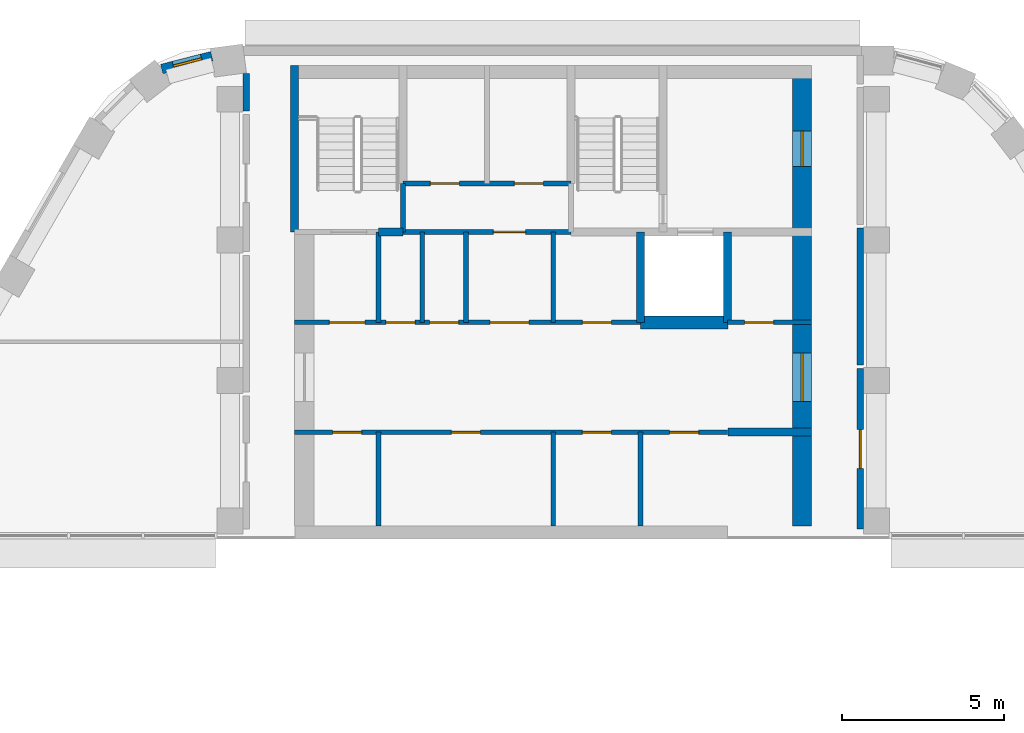
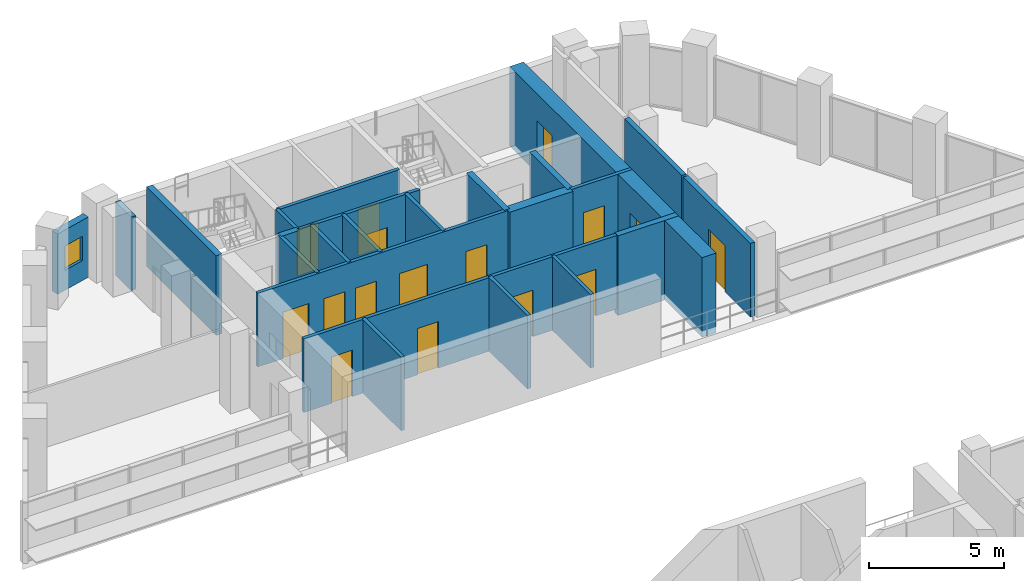
# One storey, part 10 of 13: 25 walls, 16 doors, 1 window, 17 openings.
"""IFC4 building model written with IfcOpenShell, lengths in metres."""

from ifc_helpers import new_model, si_unit, direction, frame, frame_2d, origin, place, context, subcontext, project, spatial, rectangle, extrude, material, layer, layer_set, type_object, element, fill, save


model = new_model("IFC4")

# Units and contexts
model_context = context("Model", 3, precision=1e-05, world=origin(), true_north=direction((0.0, 1.0)))
body_context = subcontext(model_context, "Body", "Model", "MODEL_VIEW")
ifc_project = project(units=[si_unit("LENGTHUNIT", "METRE"), si_unit("AREAUNIT", "SQUARE_METRE"), si_unit("VOLUMEUNIT", "CUBIC_METRE"), si_unit("PLANEANGLEUNIT", "RADIAN"), si_unit("MASSUNIT", "GRAM", prefix="KILO")], contexts=[model_context])

# Site, building, storey
site_placement = place(None, origin())
site = spatial("IfcSite", under=ifc_project, at=site_placement, CompositionType="ELEMENT")
building_placement = place(site_placement, origin())
building = spatial("IfcBuilding", under=site, at=building_placement, Name="Nakaniwa Court", CompositionType="ELEMENT")
storey_placement = place(building_placement, frame((0.0, 0.0, 286.800048828125)))
storey = spatial("IfcBuildingStorey", under=building, at=storey_placement, Name="C05", CompositionType="ELEMENT", Elevation=286.800048828125)

# Wall, opening, door
ifc_material_1 = material(Name="Acoustic double stud partition")
ifc_layer_1 = layer(ifc_material_1, 0.199951171875)
ifc_layer_set_1 = layer_set([ifc_layer_1], Name="Acoustic double stud partition")
wall_type_1 = type_object("IfcWallType", Name="Acoustic double stud partition 200", PredefinedType="PARTITIONING", material=ifc_layer_set_1)
wall_1_placement = place(storey_placement, frame((89.5, 92.6630859375, 0.0), z_axis=(0.0, 0.0, 1.0), x_axis=(0.0, -1.0, 0.0)))
wall_1 = element("IfcWall", 1, at=wall_1_placement, inside=storey, type_object=wall_type_1, Name="Partition PW-059", PredefinedType="PARTITIONING", context=body_context, shape_type="SweptSolid", body=[
    extrude(rectangle(XDim=4.963134765625, YDim=0.199951171875, at=frame_2d((2.4814453125, 0.0))), origin(), (0.0, 0.0, 1.0), 3.324951171875),
])
opening_1_placement = place(wall_1_placement, frame((1.883056640625, 0.0, 0.0)))
opening_1 = element("IfcOpeningElement", 2, at=opening_1_placement, cuts=wall_1, Name="Opening D-30-02", PredefinedType="OPENING", context=body_context, shape_type="SweptSolid", body=[
    extrude(rectangle(XDim=1.199951171875, YDim=2.10009765625, at=frame_2d((0.60009765625, 1.050048828125))), frame((0.0, 0.10986328125, 0.0), z_axis=(0.0, -1.0, 0.0), x_axis=(1.0, 0.0, 0.0)), (0.0, 0.0, 1.0), 0.219970703125),
])
ifc_material_2 = material(Name="Solid core timber door set, black veneer", Category="wood")
door_type_1 = type_object("IfcDoorType", Name="Internal door 1200", OperationType="NOTDEFINED", PredefinedType="DOOR", material=ifc_material_2)
door_1_placement = place(opening_1_placement, origin())
door_1 = element("IfcDoor", 3, at=door_1_placement, inside=storey, type_object=door_type_1, Name="Door D-30-02 C05-032", OperationType="SINGLE_SWING_LEFT", OverallHeight=2.10009765625, OverallWidth=1.199951171875, PredefinedType="DOOR", context=body_context, shape_type="SweptSolid", body=[
    extrude(rectangle(XDim=1.199951171875, YDim=2.10009765625, at=frame_2d((0.60009765625, 1.050048828125))), frame((0.0, 0.02490234375, 0.0), z_axis=(0.0, -1.0, 0.0), x_axis=(1.0, 0.0, 0.0)), (0.0, 0.0, 1.0), 0.050048828125),
])
fill(opening_1, door_1)

# Walls
wall_2_placement = place(storey_placement, frame((89.5, 92.777099609375, 0.0), z_axis=(0.0, 0.0, 1.0), x_axis=(0.0, 1.0, 0.0)))
element("IfcWall", 4, at=wall_2_placement, inside=storey, type_object=wall_type_1, Name="Partition PW-060", PredefinedType="PARTITIONING", context=body_context, shape_type="SweptSolid", body=[
    extrude(rectangle(XDim=4.23583984375, YDim=0.199951171875, at=frame_2d((2.117919921875, 0.0))), origin(), (0.0, 0.0, 1.0), 3.324951171875),
])
wall_3_placement = place(storey_placement, frame((70.5, 100.636962890625, 0.0), z_axis=(0.0, 0.0, 1.0), x_axis=(0.0, 1.0, 0.0)))
element("IfcWall", 5, at=wall_3_placement, inside=storey, type_object=wall_type_1, Name="Partition PW-070", PredefinedType="PARTITIONING", context=body_context, shape_type="SweptSolid", body=[
    extrude(rectangle(XDim=1.163818359375, YDim=0.199951171875, at=frame_2d((0.58203125, 0.0))), origin(), (0.0, 0.0, 1.0), 3.324951171875),
])

# Wall, opening, window
ifc_material_3 = material(Name="Charcoal ceramic cladding")
ifc_layer_2 = layer(ifc_material_3, 0.02, Name="Ceramic cladding")
ifc_material_4 = material(Name="Ventilated air cavity")
ifc_layer_3 = layer(ifc_material_4, 0.04, ventilated=True, Name="Ventilated cavity")
ifc_material_5 = material(Name="Mineral wool insulation")
ifc_layer_4 = layer(ifc_material_5, 0.1, Name="Insulation")
ifc_material_6 = material(Name="Cement bonded sheathing board")
ifc_layer_5 = layer(ifc_material_6, 0.012, Name="Sheathing")
ifc_material_7 = material(Name="Cold-formed galvanised stud frame with mineral wool infill")
ifc_layer_6 = layer(ifc_material_7, 0.1, Name="Stud frame")
ifc_material_8 = material(Name="Fire-rated gypsum plasterboard lining")
ifc_layer_7 = layer(ifc_material_8, 0.028, Name="Lining")
ifc_layer_set_2 = layer_set([ifc_layer_2, ifc_layer_3, ifc_layer_4, ifc_layer_5, ifc_layer_6, ifc_layer_7], Name="Charcoal ceramic faced external wall system")
wall_type_2 = type_object("IfcWallType", Name="Black ceramic faced external wall 300", PredefinedType="SOLIDWALL", material=ifc_layer_set_2)
wall_4_placement = place(storey_placement, frame((69.436767578125, 102.333251953125, 0.0), z_axis=(0.0, 0.0, 1.0), x_axis=(-0.968770279168, -0.247959968947, 0.0)))
wall_4 = element("IfcWall", 6, at=wall_4_placement, inside=storey, type_object=wall_type_2, Name="C05 external wall 24", PredefinedType="SOLIDWALL", context=body_context, shape_type="SweptSolid", body=[
    extrude(rectangle(XDim=1.597900390625, YDim=0.300048828125, at=frame_2d((0.798828125, 0.0))), origin(), (0.0, 0.0, 1.0), 2.724853515625),
])
opening_2_placement = place(wall_4_placement, frame((0.324951171875, 0.0, 0.89990234375)))
opening_2 = element("IfcOpeningElement", 7, at=opening_2_placement, cuts=wall_4, Name="Opening W9.09", PredefinedType="OPENING", context=body_context, shape_type="SweptSolid", body=[
    extrude(rectangle(XDim=0.89990234375, YDim=1.10009765625, at=frame_2d((0.449951171875, 0.550048828125))), frame((0.0, 0.159912109375, 0.0), z_axis=(0.0, -1.0, 0.0), x_axis=(1.0, 0.0, 0.0)), (0.0, 0.0, 1.0), 0.320068359375),
])
ifc_material_9 = material(Name="Black anodised aluminium frame with dark low-E laminated double glazing", Category="aluminium")
window_type = type_object("IfcWindowType", Name="Dark glass window 900x1100 sill 900", PartitioningType="SINGLE_PANEL", PredefinedType="WINDOW", material=ifc_material_9)
window_placement = place(opening_2_placement, origin())
window = element("IfcWindow", 8, at=window_placement, inside=storey, type_object=window_type, Name="C05 habitable room window 24-0", OverallHeight=1.10009765625, OverallWidth=0.89990234375, PartitioningType="SINGLE_PANEL", PredefinedType="WINDOW", context=body_context, shape_type="SweptSolid", body=[
    extrude(rectangle(XDim=0.89990234375, YDim=1.10009765625, at=frame_2d((0.449951171875, 0.550048828125))), frame((0.0, 0.030029296875, 0.0), z_axis=(0.0, -1.0, 0.0), x_axis=(1.0, 0.0, 0.0)), (0.0, 0.0, 1.0), 0.06005859375),
])
fill(opening_2, window)

# Walls
ifc_material_10 = material(Name="Blockwork partition", Category="masonry")
ifc_layer_8 = layer(ifc_material_10, 0.14990234375)
ifc_layer_set_3 = layer_set([ifc_layer_8], Name="Blockwork partition")
wall_type_3 = type_object("IfcWallType", Name="Blockwork partition 150", PredefinedType="PARTITIONING", material=ifc_layer_set_3)
wall_5_placement = place(storey_placement, frame((74.60009765625, 87.800048828125, 0.0), z_axis=(0.0, 0.0, 1.0), x_axis=(0.0, 1.0, 0.0)))
element("IfcWall", 9, at=wall_5_placement, inside=storey, type_object=wall_type_3, Name="Partition PW-001", PredefinedType="PARTITIONING", context=body_context, shape_type="SweptSolid", body=[
    extrude(rectangle(XDim=2.89990234375, YDim=0.14990234375, at=frame_2d((1.449951171875, 0.0))), origin(), (0.0, 0.0, 1.0), 3.324951171875),
])
wall_6_placement = place(storey_placement, frame((74.60009765625, 94.10009765625, 0.0), z_axis=(0.0, 0.0, 1.0), x_axis=(0.0, 1.0, 0.0)))
element("IfcWall", 10, at=wall_6_placement, inside=storey, type_object=wall_type_3, Name="Partition PW-002", PredefinedType="PARTITIONING", context=body_context, shape_type="SweptSolid", body=[
    extrude(rectangle(XDim=2.7998046875, YDim=0.14990234375, at=frame_2d((1.39990234375, 0.0))), origin(), (0.0, 0.0, 1.0), 3.324951171875),
])

# Wall, openings, doors
wall_7_placement = place(storey_placement, frame((85.39990234375, 90.699951171875, 0.0), z_axis=(0.0, 0.0, 1.0), x_axis=(-1.0, 0.0, 0.0)))
wall_7 = element("IfcWall", 11, at=wall_7_placement, inside=storey, type_object=wall_type_3, Name="Partition PW-003", PredefinedType="PARTITIONING", context=body_context, shape_type="SweptSolid", body=[
    extrude(rectangle(XDim=13.39990234375, YDim=0.14990234375, at=frame_2d((6.699951171875, 0.0))), origin(), (0.0, 0.0, 1.0), 3.324951171875),
])
opening_3_placement = place(wall_7_placement, frame((11.324951171875, 0.0, 0.0)))
opening_3 = element("IfcOpeningElement", 12, at=opening_3_placement, cuts=wall_7, Name="Opening D-05-01", PredefinedType="OPENING", context=body_context, shape_type="SweptSolid", body=[
    extrude(rectangle(XDim=0.89990234375, YDim=2.10009765625, at=frame_2d((0.449951171875, 1.050048828125))), frame((0.0, 0.0849609375, 0.0), z_axis=(0.0, -1.0, 0.0), x_axis=(1.0, 0.0, 0.0)), (0.0, 0.0, 1.0), 0.169921875),
])
opening_4_placement = place(wall_7_placement, frame((7.64990234375, 0.0, 0.0)))
opening_4 = element("IfcOpeningElement", 13, at=opening_4_placement, cuts=wall_7, Name="Opening D-05-02", PredefinedType="OPENING", context=body_context, shape_type="SweptSolid", body=[
    extrude(rectangle(XDim=0.89990234375, YDim=2.10009765625, at=frame_2d((0.449951171875, 1.050048828125))), frame((0.0, 0.0849609375, 0.0), z_axis=(0.0, -1.0, 0.0), x_axis=(1.0, 0.0, 0.0)), (0.0, 0.0, 1.0), 0.169921875),
])
opening_5_placement = place(wall_7_placement, frame((3.60009765625, 0.0, 0.0)))
opening_5 = element("IfcOpeningElement", 14, at=opening_5_placement, cuts=wall_7, Name="Opening D-05-03", PredefinedType="OPENING", context=body_context, shape_type="SweptSolid", body=[
    extrude(rectangle(XDim=0.89990234375, YDim=2.10009765625, at=frame_2d((0.449951171875, 1.050048828125))), frame((0.0, 0.0849609375, 0.0), z_axis=(0.0, -1.0, 0.0), x_axis=(1.0, 0.0, 0.0)), (0.0, 0.0, 1.0), 0.169921875),
])
opening_6_placement = place(wall_7_placement, frame((0.89990234375, 0.0, 0.0)))
opening_6 = element("IfcOpeningElement", 15, at=opening_6_placement, cuts=wall_7, Name="Opening D-05-04", PredefinedType="OPENING", context=body_context, shape_type="SweptSolid", body=[
    extrude(rectangle(XDim=0.89990234375, YDim=2.10009765625, at=frame_2d((0.449951171875, 1.050048828125))), frame((0.0, 0.0849609375, 0.0), z_axis=(0.0, -1.0, 0.0), x_axis=(1.0, 0.0, 0.0)), (0.0, 0.0, 1.0), 0.169921875),
])
ifc_material_11 = material(Name="Fire rated steel door set", Category="steel")
door_type_2 = type_object("IfcDoorType", Name="Service room door 900", OperationType="NOTDEFINED", PredefinedType="DOOR", material=ifc_material_11)
door_2_placement = place(opening_3_placement, origin())
door_2 = element("IfcDoor", 16, at=door_2_placement, inside=storey, type_object=door_type_2, Name="Door D-05-01 C05-001", OperationType="SINGLE_SWING_RIGHT", OverallHeight=2.10009765625, OverallWidth=0.89990234375, PredefinedType="DOOR", context=body_context, shape_type="SweptSolid", body=[
    extrude(rectangle(XDim=0.89990234375, YDim=2.10009765625, at=frame_2d((0.449951171875, 1.050048828125))), frame((0.0, 0.02490234375, 0.0), z_axis=(0.0, -1.0, 0.0), x_axis=(1.0, 0.0, 0.0)), (0.0, 0.0, 1.0), 0.050048828125),
])
fill(opening_3, door_2)
door_3_placement = place(opening_4_placement, origin())
door_3 = element("IfcDoor", 17, at=door_3_placement, inside=storey, type_object=door_type_2, Name="Door D-05-02 C05-002", OperationType="SINGLE_SWING_LEFT", OverallHeight=2.10009765625, OverallWidth=0.89990234375, PredefinedType="DOOR", context=body_context, shape_type="SweptSolid", body=[
    extrude(rectangle(XDim=0.89990234375, YDim=2.10009765625, at=frame_2d((0.449951171875, 1.050048828125))), frame((0.0, 0.02490234375, 0.0), z_axis=(0.0, -1.0, 0.0), x_axis=(1.0, 0.0, 0.0)), (0.0, 0.0, 1.0), 0.050048828125),
])
fill(opening_4, door_3)
door_4_placement = place(opening_5_placement, origin())
door_4 = element("IfcDoor", 18, at=door_4_placement, inside=storey, type_object=door_type_2, Name="Door D-05-03 C05-003", OperationType="SINGLE_SWING_RIGHT", OverallHeight=2.10009765625, OverallWidth=0.89990234375, PredefinedType="DOOR", context=body_context, shape_type="SweptSolid", body=[
    extrude(rectangle(XDim=0.89990234375, YDim=2.10009765625, at=frame_2d((0.449951171875, 1.050048828125))), frame((0.0, 0.02490234375, 0.0), z_axis=(0.0, -1.0, 0.0), x_axis=(1.0, 0.0, 0.0)), (0.0, 0.0, 1.0), 0.050048828125),
])
fill(opening_5, door_4)
door_5_placement = place(opening_6_placement, origin())
door_5 = element("IfcDoor", 19, at=door_5_placement, inside=storey, type_object=door_type_2, Name="Door D-05-04 C05-004", OperationType="SINGLE_SWING_LEFT", OverallHeight=2.10009765625, OverallWidth=0.89990234375, PredefinedType="DOOR", context=body_context, shape_type="SweptSolid", body=[
    extrude(rectangle(XDim=0.89990234375, YDim=2.10009765625, at=frame_2d((0.449951171875, 1.050048828125))), frame((0.0, 0.02490234375, 0.0), z_axis=(0.0, -1.0, 0.0), x_axis=(1.0, 0.0, 0.0)), (0.0, 0.0, 1.0), 0.050048828125),
])
fill(opening_6, door_5)

# Walls
wall_8_placement = place(storey_placement, frame((80.0, 87.800048828125, 0.0), z_axis=(0.0, 0.0, 1.0), x_axis=(0.0, 1.0, 0.0)))
element("IfcWall", 20, at=wall_8_placement, inside=storey, type_object=wall_type_3, Name="Partition PW-005", PredefinedType="PARTITIONING", context=body_context, shape_type="SweptSolid", body=[
    extrude(rectangle(XDim=2.89990234375, YDim=0.14990234375, at=frame_2d((1.449951171875, 0.0))), origin(), (0.0, 0.0, 1.0), 3.324951171875),
])
wall_9_placement = place(storey_placement, frame((80.0, 94.10009765625, 0.0), z_axis=(0.0, 0.0, 1.0), x_axis=(0.0, 1.0, 0.0)))
element("IfcWall", 21, at=wall_9_placement, inside=storey, type_object=wall_type_3, Name="Partition PW-006", PredefinedType="PARTITIONING", context=body_context, shape_type="SweptSolid", body=[
    extrude(rectangle(XDim=2.7998046875, YDim=0.14990234375, at=frame_2d((1.39990234375, 0.0))), origin(), (0.0, 0.0, 1.0), 3.324951171875),
])
wall_10_placement = place(storey_placement, frame((82.699951171875, 87.800048828125, 0.0), z_axis=(0.0, 0.0, 1.0), x_axis=(0.0, 1.0, 0.0)))
element("IfcWall", 22, at=wall_10_placement, inside=storey, type_object=wall_type_3, Name="Partition PW-007", PredefinedType="PARTITIONING", context=body_context, shape_type="SweptSolid", body=[
    extrude(rectangle(XDim=2.89990234375, YDim=0.14990234375, at=frame_2d((1.449951171875, 0.0))), origin(), (0.0, 0.0, 1.0), 3.324951171875),
])

# Wall, openings, doors
wall_11_placement = place(storey_placement, frame((72.0, 94.10009765625, 0.0), z_axis=(0.0, 0.0, 1.0), x_axis=(1.0, 0.0, 0.0)))
wall_11 = element("IfcWall", 23, at=wall_11_placement, inside=storey, type_object=wall_type_3, Name="Partition PW-008", PredefinedType="PARTITIONING", context=body_context, shape_type="SweptSolid", body=[
    extrude(rectangle(XDim=10.702880859375, YDim=0.14990234375, at=frame_2d((5.3515625, 0.0))), origin(), (0.0, 0.0, 1.0), 3.324951171875),
])
opening_7_placement = place(wall_11_placement, frame((1.074951171875, 0.0, 0.0)))
opening_7 = element("IfcOpeningElement", 24, at=opening_7_placement, cuts=wall_11, Name="Opening D-08-01", PredefinedType="OPENING", context=body_context, shape_type="SweptSolid", body=[
    extrude(rectangle(XDim=1.10009765625, YDim=2.10009765625, at=frame_2d((0.550048828125, 1.050048828125))), frame((0.0, 0.0849609375, 0.0), z_axis=(0.0, -1.0, 0.0), x_axis=(1.0, 0.0, 0.0)), (0.0, 0.0, 1.0), 0.169921875),
])
opening_8_placement = place(wall_11_placement, frame((2.824951171875, 0.0, 0.0)))
opening_8 = element("IfcOpeningElement", 25, at=opening_8_placement, cuts=wall_11, Name="Opening D-05-05", PredefinedType="OPENING", context=body_context, shape_type="SweptSolid", body=[
    extrude(rectangle(XDim=0.89990234375, YDim=2.10009765625, at=frame_2d((0.449951171875, 1.050048828125))), frame((0.0, 0.0849609375, 0.0), z_axis=(0.0, -1.0, 0.0), x_axis=(1.0, 0.0, 0.0)), (0.0, 0.0, 1.0), 0.169921875),
])
opening_9_placement = place(wall_11_placement, frame((4.175048828125, 0.0, 0.0)))
opening_9 = element("IfcOpeningElement", 26, at=opening_9_placement, cuts=wall_11, Name="Opening D-05-06", PredefinedType="OPENING", context=body_context, shape_type="SweptSolid", body=[
    extrude(rectangle(XDim=0.89990234375, YDim=2.10009765625, at=frame_2d((0.449951171875, 1.050048828125))), frame((0.0, 0.0849609375, 0.0), z_axis=(0.0, -1.0, 0.0), x_axis=(1.0, 0.0, 0.0)), (0.0, 0.0, 1.0), 0.169921875),
])
opening_10_placement = place(wall_11_placement, frame((6.050048828125, 0.0, 0.0)))
opening_10 = element("IfcOpeningElement", 27, at=opening_10_placement, cuts=wall_11, Name="Opening D-06-01", PredefinedType="OPENING", context=body_context, shape_type="SweptSolid", body=[
    extrude(rectangle(XDim=1.199951171875, YDim=2.10009765625, at=frame_2d((0.60009765625, 1.050048828125))), frame((0.0, 0.0849609375, 0.0), z_axis=(0.0, -1.0, 0.0), x_axis=(1.0, 0.0, 0.0)), (0.0, 0.0, 1.0), 0.169921875),
])
opening_11_placement = place(wall_11_placement, frame((8.89990234375, 0.0, 0.0)))
opening_11 = element("IfcOpeningElement", 28, at=opening_11_placement, cuts=wall_11, Name="Opening D-05-07", PredefinedType="OPENING", context=body_context, shape_type="SweptSolid", body=[
    extrude(rectangle(XDim=0.89990234375, YDim=2.10009765625, at=frame_2d((0.449951171875, 1.050048828125))), frame((0.0, 0.0849609375, 0.0), z_axis=(0.0, -1.0, 0.0), x_axis=(1.0, 0.0, 0.0)), (0.0, 0.0, 1.0), 0.169921875),
])
ifc_material_12 = material(Name="Fire rated steel double door set", Category="steel")
door_type_3 = type_object("IfcDoorType", Name="Service passage double door 1200", OperationType="NOTDEFINED", PredefinedType="DOOR", material=ifc_material_12)
door_6_placement = place(opening_10_placement, origin())
door_6 = element("IfcDoor", 29, at=door_6_placement, inside=storey, type_object=door_type_3, Name="Door D-06-01 C05-008", OperationType="DOUBLE_DOOR_SINGLE_SWING", OverallHeight=2.10009765625, OverallWidth=1.199951171875, PredefinedType="DOOR", context=body_context, shape_type="SweptSolid", body=[
    extrude(rectangle(XDim=1.199951171875, YDim=2.10009765625, at=frame_2d((0.60009765625, 1.050048828125))), frame((0.0, 0.02490234375, 0.0), z_axis=(0.0, -1.0, 0.0), x_axis=(1.0, 0.0, 0.0)), (0.0, 0.0, 1.0), 0.050048828125),
])
fill(opening_10, door_6)
door_7_placement = place(opening_8_placement, origin())
door_7 = element("IfcDoor", 30, at=door_7_placement, inside=storey, type_object=door_type_2, Name="Door D-05-05 C05-006", OperationType="SINGLE_SWING_LEFT", OverallHeight=2.10009765625, OverallWidth=0.89990234375, PredefinedType="DOOR", context=body_context, shape_type="SweptSolid", body=[
    extrude(rectangle(XDim=0.89990234375, YDim=2.10009765625, at=frame_2d((0.449951171875, 1.050048828125))), frame((0.0, 0.02490234375, 0.0), z_axis=(0.0, -1.0, 0.0), x_axis=(1.0, 0.0, 0.0)), (0.0, 0.0, 1.0), 0.050048828125),
])
fill(opening_8, door_7)
door_8_placement = place(opening_9_placement, origin())
door_8 = element("IfcDoor", 31, at=door_8_placement, inside=storey, type_object=door_type_2, Name="Door D-05-06 C05-007", OperationType="SINGLE_SWING_RIGHT", OverallHeight=2.10009765625, OverallWidth=0.89990234375, PredefinedType="DOOR", context=body_context, shape_type="SweptSolid", body=[
    extrude(rectangle(XDim=0.89990234375, YDim=2.10009765625, at=frame_2d((0.449951171875, 1.050048828125))), frame((0.0, 0.02490234375, 0.0), z_axis=(0.0, -1.0, 0.0), x_axis=(1.0, 0.0, 0.0)), (0.0, 0.0, 1.0), 0.050048828125),
])
fill(opening_9, door_8)
door_9_placement = place(opening_11_placement, origin())
door_9 = element("IfcDoor", 32, at=door_9_placement, inside=storey, type_object=door_type_2, Name="Door D-05-07 C05-009", OperationType="SINGLE_SWING_RIGHT", OverallHeight=2.10009765625, OverallWidth=0.89990234375, PredefinedType="DOOR", context=body_context, shape_type="SweptSolid", body=[
    extrude(rectangle(XDim=0.89990234375, YDim=2.10009765625, at=frame_2d((0.449951171875, 1.050048828125))), frame((0.0, 0.02490234375, 0.0), z_axis=(0.0, -1.0, 0.0), x_axis=(1.0, 0.0, 0.0)), (0.0, 0.0, 1.0), 0.050048828125),
])
fill(opening_11, door_9)
door_type_4 = type_object("IfcDoorType", Name="Stair lobby door 1100", OperationType="NOTDEFINED", PredefinedType="DOOR", material=ifc_material_11)
door_10_placement = place(opening_7_placement, origin())
door_10 = element("IfcDoor", 33, at=door_10_placement, inside=storey, type_object=door_type_4, Name="Door D-08-01 C05-005", OperationType="SINGLE_SWING_RIGHT", OverallHeight=2.10009765625, OverallWidth=1.10009765625, PredefinedType="DOOR", context=body_context, shape_type="SweptSolid", body=[
    extrude(rectangle(XDim=1.10009765625, YDim=2.10009765625, at=frame_2d((0.550048828125, 1.050048828125))), frame((0.0, 0.02490234375, 0.0), z_axis=(0.0, -1.0, 0.0), x_axis=(1.0, 0.0, 0.0)), (0.0, 0.0, 1.0), 0.050048828125),
])
fill(opening_7, door_10)

# Wall, opening, door
wall_12_placement = place(storey_placement, frame((85.39697265625, 94.10009765625, 0.0), z_axis=(0.0, 0.0, 1.0), x_axis=(1.0, 0.0, 0.0)))
wall_12 = element("IfcWall", 34, at=wall_12_placement, inside=storey, type_object=wall_type_3, Name="Partition PW-009", PredefinedType="PARTITIONING", context=body_context, shape_type="SweptSolid", body=[
    extrude(rectangle(XDim=2.60302734375, YDim=0.14990234375, at=frame_2d((1.301513671875, 0.0))), origin(), (0.0, 0.0, 1.0), 3.324951171875),
])
opening_12_placement = place(wall_12_placement, frame((0.528076171875, 0.0, 0.0)))
opening_12 = element("IfcOpeningElement", 35, at=opening_12_placement, cuts=wall_12, Name="Opening D-05-08", PredefinedType="OPENING", context=body_context, shape_type="SweptSolid", body=[
    extrude(rectangle(XDim=0.89990234375, YDim=2.10009765625, at=frame_2d((0.449951171875, 1.050048828125))), frame((0.0, 0.0849609375, 0.0), z_axis=(0.0, -1.0, 0.0), x_axis=(1.0, 0.0, 0.0)), (0.0, 0.0, 1.0), 0.169921875),
])
door_11_placement = place(opening_12_placement, origin())
door_11 = element("IfcDoor", 36, at=door_11_placement, inside=storey, type_object=door_type_2, Name="Door D-05-08 C05-010", OperationType="SINGLE_SWING_LEFT", OverallHeight=2.10009765625, OverallWidth=0.89990234375, PredefinedType="DOOR", context=body_context, shape_type="SweptSolid", body=[
    extrude(rectangle(XDim=0.89990234375, YDim=2.10009765625, at=frame_2d((0.449951171875, 1.050048828125))), frame((0.0, 0.02490234375, 0.0), z_axis=(0.0, -1.0, 0.0), x_axis=(1.0, 0.0, 0.0)), (0.0, 0.0, 1.0), 0.050048828125),
])
fill(opening_12, door_11)

# Wall
wall_13_placement = place(storey_placement, frame((75.949951171875, 94.10009765625, 0.0), z_axis=(0.0, 0.0, 1.0), x_axis=(0.0, 1.0, 0.0)))
element("IfcWall", 37, at=wall_13_placement, inside=storey, type_object=wall_type_3, Name="Partition PW-013", PredefinedType="PARTITIONING", context=body_context, shape_type="SweptSolid", body=[
    extrude(rectangle(XDim=2.7998046875, YDim=0.14990234375, at=frame_2d((1.39990234375, 0.0))), origin(), (0.0, 0.0, 1.0), 3.324951171875),
])

# Wall, opening, door
wall_14_placement = place(storey_placement, frame((75.346923828125, 96.89990234375, 0.0), z_axis=(0.0, 0.0, 1.0), x_axis=(1.0, 0.0, 0.0)))
wall_14 = element("IfcWall", 38, at=wall_14_placement, inside=storey, type_object=wall_type_3, Name="Partition PW-016", PredefinedType="PARTITIONING", context=body_context, shape_type="SweptSolid", body=[
    extrude(rectangle(XDim=5.2060546875, YDim=0.14990234375, at=frame_2d((2.60302734375, 0.0))), origin(), (0.0, 0.0, 1.0), 3.324951171875),
])
opening_13_placement = place(wall_14_placement, frame((2.802978515625, 0.0, 0.0)))
opening_13 = element("IfcOpeningElement", 39, at=opening_13_placement, cuts=wall_14, Name="Opening D-23-01", PredefinedType="OPENING", context=body_context, shape_type="SweptSolid", body=[
    extrude(rectangle(XDim=1.0, YDim=2.10009765625, at=frame_2d((0.5, 1.050048828125))), frame((0.0, 0.0849609375, 0.0), z_axis=(0.0, -1.0, 0.0), x_axis=(1.0, 0.0, 0.0)), (0.0, 0.0, 1.0), 0.169921875),
])
door_type_5 = type_object("IfcDoorType", Name="Service room door 1000", OperationType="NOTDEFINED", PredefinedType="DOOR", material=ifc_material_11)
door_12_placement = place(opening_13_placement, origin())
door_12 = element("IfcDoor", 40, at=door_12_placement, inside=storey, type_object=door_type_5, Name="Door D-23-01 C05-011", OperationType="SINGLE_SWING_RIGHT", OverallHeight=2.10009765625, OverallWidth=1.0, PredefinedType="DOOR", context=body_context, shape_type="SweptSolid", body=[
    extrude(rectangle(XDim=1.0, YDim=2.10009765625, at=frame_2d((0.5, 1.050048828125))), frame((0.0, 0.02490234375, 0.0), z_axis=(0.0, -1.0, 0.0), x_axis=(1.0, 0.0, 0.0)), (0.0, 0.0, 1.0), 0.050048828125),
])
fill(opening_13, door_12)

# Wall
wall_15_placement = place(storey_placement, frame((77.300048828125, 94.10009765625, 0.0), z_axis=(0.0, 0.0, 1.0), x_axis=(0.0, 1.0, 0.0)))
element("IfcWall", 41, at=wall_15_placement, inside=storey, type_object=wall_type_3, Name="Partition PW-017", PredefinedType="PARTITIONING", context=body_context, shape_type="SweptSolid", body=[
    extrude(rectangle(XDim=2.7998046875, YDim=0.14990234375, at=frame_2d((1.39990234375, 0.0))), origin(), (0.0, 0.0, 1.0), 3.324951171875),
])

# Wall, openings, doors
wall_16_placement = place(storey_placement, frame((75.35009765625, 98.39990234375, 0.0), z_axis=(0.0, 0.0, 1.0), x_axis=(1.0, 0.0, 0.0)))
wall_16 = element("IfcWall", 42, at=wall_16_placement, inside=storey, type_object=wall_type_3, Name="Partition PW-026", PredefinedType="PARTITIONING", context=body_context, shape_type="SweptSolid", body=[
    extrude(rectangle(XDim=5.199951171875, YDim=0.14990234375, at=frame_2d((2.60009765625, 0.0))), origin(), (0.0, 0.0, 1.0), 3.324951171875),
])
opening_14_placement = place(wall_16_placement, frame((0.85009765625, 0.0, 0.0)))
opening_14 = element("IfcOpeningElement", 43, at=opening_14_placement, cuts=wall_16, Name="Opening D-05-09", PredefinedType="OPENING", context=body_context, shape_type="SweptSolid", body=[
    extrude(rectangle(XDim=0.89990234375, YDim=2.10009765625, at=frame_2d((0.449951171875, 1.050048828125))), frame((0.0, 0.0849609375, 0.0), z_axis=(0.0, -1.0, 0.0), x_axis=(1.0, 0.0, 0.0)), (0.0, 0.0, 1.0), 0.169921875),
])
opening_15_placement = place(wall_16_placement, frame((3.449951171875, 0.0, 0.0)))
opening_15 = element("IfcOpeningElement", 44, at=opening_15_placement, cuts=wall_16, Name="Opening D-05-10", PredefinedType="OPENING", context=body_context, shape_type="SweptSolid", body=[
    extrude(rectangle(XDim=0.89990234375, YDim=2.10009765625, at=frame_2d((0.449951171875, 1.050048828125))), frame((0.0, 0.0849609375, 0.0), z_axis=(0.0, -1.0, 0.0), x_axis=(1.0, 0.0, 0.0)), (0.0, 0.0, 1.0), 0.169921875),
])
door_13_placement = place(opening_14_placement, origin())
door_13 = element("IfcDoor", 45, at=door_13_placement, inside=storey, type_object=door_type_2, Name="Door D-05-09 C05-012", OperationType="SINGLE_SWING_LEFT", OverallHeight=2.10009765625, OverallWidth=0.89990234375, PredefinedType="DOOR", context=body_context, shape_type="SweptSolid", body=[
    extrude(rectangle(XDim=0.89990234375, YDim=2.10009765625, at=frame_2d((0.449951171875, 1.050048828125))), frame((0.0, 0.02490234375, 0.0), z_axis=(0.0, -1.0, 0.0), x_axis=(1.0, 0.0, 0.0)), (0.0, 0.0, 1.0), 0.050048828125),
])
fill(opening_14, door_13)
door_14_placement = place(opening_15_placement, origin())
door_14 = element("IfcDoor", 46, at=door_14_placement, inside=storey, type_object=door_type_2, Name="Door D-05-10 C05-013", OperationType="SINGLE_SWING_RIGHT", OverallHeight=2.10009765625, OverallWidth=0.89990234375, PredefinedType="DOOR", context=body_context, shape_type="SweptSolid", body=[
    extrude(rectangle(XDim=0.89990234375, YDim=2.10009765625, at=frame_2d((0.449951171875, 1.050048828125))), frame((0.0, 0.02490234375, 0.0), z_axis=(0.0, -1.0, 0.0), x_axis=(1.0, 0.0, 0.0)), (0.0, 0.0, 1.0), 0.050048828125),
])
fill(opening_15, door_14)

ifc_material_13 = material(Name="Concrete C80/100", Category="concrete")
ifc_layer_9 = layer(ifc_material_13, 0.60009765625)
ifc_layer_set_4 = layer_set([ifc_layer_9], Name="Concrete C80/100")
wall_type_4 = type_object("IfcWallType", Name="Concrete core side wall 600 C80", PredefinedType="SHEAR", material=ifc_layer_set_4)
wall_17_placement = place(storey_placement, frame((87.699951171875, 102.050048828125, -0.275146484375), z_axis=(0.0, 0.0, 1.0), x_axis=(0.0, -1.0, 0.0)))
wall_17 = element("IfcWall", 47, at=wall_17_placement, inside=storey, type_object=wall_type_4, Name="Core wall SW-11", PredefinedType="SHEAR", context=body_context, shape_type="SweptSolid", body=[
    extrude(rectangle(XDim=11.35009765625, YDim=0.60009765625, at=frame_2d((5.675048828125, 0.0))), origin(), (0.0, 0.0, 1.0), 3.60009765625),
])
opening_16_placement = place(wall_17_placement, frame((8.89990234375, 0.0, 0.27490234375)))
opening_16 = element("IfcOpeningElement", 48, at=opening_16_placement, cuts=wall_17, Name="Opening D-07-01", PredefinedType="OPENING", context=body_context, shape_type="SweptSolid", body=[
    extrude(rectangle(XDim=1.5, YDim=2.10009765625, at=frame_2d((0.75, 1.050048828125))), frame((0.0, 0.31005859375, 0.0), z_axis=(0.0, -1.0, 0.0), x_axis=(1.0, 0.0, 0.0)), (0.0, 0.0, 1.0), 0.6201171875),
])
opening_17_placement = place(wall_17_placement, frame((2.02490234375, 0.0, 0.27490234375)))
opening_17 = element("IfcOpeningElement", 49, at=opening_17_placement, cuts=wall_17, Name="Opening D-10-01", PredefinedType="OPENING", context=body_context, shape_type="SweptSolid", body=[
    extrude(rectangle(XDim=1.10009765625, YDim=2.10009765625, at=frame_2d((0.550048828125, 1.050048828125))), frame((0.0, 0.31005859375, 0.0), z_axis=(0.0, -1.0, 0.0), x_axis=(1.0, 0.0, 0.0)), (0.0, 0.0, 1.0), 0.6201171875),
])
door_type_6 = type_object("IfcDoorType", Name="Firefighting lobby door 1100", OperationType="NOTDEFINED", PredefinedType="DOOR", material=ifc_material_11)
door_15_placement = place(opening_17_placement, origin())
door_15 = element("IfcDoor", 50, at=door_15_placement, inside=storey, type_object=door_type_6, Name="Door D-10-01 C05-039", OperationType="SINGLE_SWING_RIGHT", OverallHeight=2.10009765625, OverallWidth=1.10009765625, PredefinedType="DOOR", context=body_context, shape_type="SweptSolid", body=[
    extrude(rectangle(XDim=1.10009765625, YDim=2.10009765625, at=frame_2d((0.550048828125, 1.050048828125))), frame((0.0, 0.02490234375, 0.0), z_axis=(0.0, -1.0, 0.0), x_axis=(1.0, 0.0, 0.0)), (0.0, 0.0, 1.0), 0.050048828125),
])
fill(opening_17, door_15)
ifc_material_14 = material(Name="Glazed fire rated steel double door set", Category="steel")
door_type_7 = type_object("IfcDoorType", Name="Lobby double door 1500", OperationType="NOTDEFINED", PredefinedType="DOOR", material=ifc_material_14)
door_16_placement = place(opening_16_placement, origin())
door_16 = element("IfcDoor", 51, at=door_16_placement, inside=storey, type_object=door_type_7, Name="Door D-07-01 C05-037", OperationType="DOUBLE_DOOR_SINGLE_SWING", OverallHeight=2.10009765625, OverallWidth=1.5, PredefinedType="DOOR", context=body_context, shape_type="SweptSolid", body=[
    extrude(rectangle(XDim=1.5, YDim=2.10009765625, at=frame_2d((0.75, 1.050048828125))), frame((0.0, 0.02490234375, 0.0), z_axis=(0.0, -1.0, 0.0), x_axis=(1.0, 0.0, 0.0)), (0.0, 0.0, 1.0), 0.050048828125),
])
fill(opening_16, door_16)

# Walls
wall_18_placement = place(storey_placement, frame((87.699951171875, 87.800048828125, -0.275146484375), z_axis=(0.0, 0.0, 1.0), x_axis=(0.0, 1.0, 0.0)))
element("IfcWall", 52, at=wall_18_placement, inside=storey, type_object=wall_type_4, Name="Core wall SW-74", PredefinedType="SHEAR", context=body_context, shape_type="SweptSolid", body=[
    extrude(rectangle(XDim=2.89599609375, YDim=0.60009765625, at=frame_2d((1.447998046875, 0.0))), origin(), (0.0, 0.0, 1.0), 3.60009765625),
])
ifc_layer_10 = layer(ifc_material_13, 0.39990234375)
ifc_layer_set_5 = layer_set([ifc_layer_10], Name="Concrete C80/100")
wall_type_5 = type_object("IfcWallType", Name="Concrete core spine wall 400 C80", PredefinedType="SHEAR", material=ifc_layer_set_5)
wall_19_placement = place(storey_placement, frame((82.697021484375, 94.10009765625, -0.275146484375), z_axis=(0.0, 0.0, 1.0), x_axis=(1.0, 0.0, 0.0)))
element("IfcWall", 53, at=wall_19_placement, inside=storey, type_object=wall_type_5, Name="Core wall SW-10", PredefinedType="SHEAR", context=body_context, shape_type="SweptSolid", body=[
    extrude(rectangle(XDim=2.7060546875, YDim=0.39990234375, at=frame_2d((1.35302734375, 0.0))), origin(), (0.0, 0.0, 1.0), 3.60009765625),
])
ifc_layer_11 = layer(ifc_material_13, 0.14990234375)
ifc_layer_set_6 = layer_set([ifc_layer_11], Name="Concrete C80/100")
wall_type_6 = type_object("IfcWallType", Name="Concrete core wall 150 C80", PredefinedType="SHEAR", material=ifc_layer_set_6)
wall_20_placement = place(storey_placement, frame((75.35009765625, 96.89990234375, -0.275146484375), z_axis=(0.0, 0.0, 1.0), x_axis=(0.0, 1.0, 0.0)))
element("IfcWall", 54, at=wall_20_placement, inside=storey, type_object=wall_type_6, Name="Core wall SW-20", PredefinedType="SHEAR", context=body_context, shape_type="SweptSolid", body=[
    extrude(rectangle(XDim=1.503173828125, YDim=0.14990234375, at=frame_2d((0.75146484375, 0.0))), origin(), (0.0, 0.0, 1.0), 3.60009765625),
])
ifc_layer_12 = layer(ifc_material_13, 0.25)
ifc_layer_set_7 = layer_set([ifc_layer_12], Name="Concrete C80/100")
wall_type_7 = type_object("IfcWallType", Name="Concrete core wall 250 C80", PredefinedType="SHEAR", material=ifc_layer_set_7)
wall_21_placement = place(storey_placement, frame((72.0, 96.89990234375, -0.275146484375), z_axis=(0.0, 0.0, 1.0), x_axis=(0.0, 1.0, 0.0)))
element("IfcWall", 55, at=wall_21_placement, inside=storey, type_object=wall_type_7, Name="Core wall SW-22", PredefinedType="SHEAR", context=body_context, shape_type="SweptSolid", body=[
    extrude(rectangle(XDim=5.150146484375, YDim=0.25, at=frame_2d((2.5751953125, 0.0))), origin(), (0.0, 0.0, 1.0), 3.60009765625),
])
ifc_layer_13 = layer(ifc_material_13, 0.25)
ifc_layer_set_8 = layer_set([ifc_layer_13], Name="Concrete C80/100")
wall_type_8 = type_object("IfcWallType", Name="Concrete shaft wall 250 C80", PredefinedType="SHEAR", material=ifc_layer_set_8)
wall_22_placement = place(storey_placement, frame((74.60009765625, 96.89990234375, -0.275146484375), z_axis=(0.0, 0.0, 1.0), x_axis=(1.0, 0.0, 0.0)))
element("IfcWall", 56, at=wall_22_placement, inside=storey, type_object=wall_type_8, Name="Core wall SW-14", PredefinedType="SHEAR", context=body_context, shape_type="SweptSolid", body=[
    extrude(rectangle(XDim=0.7529296875, YDim=0.25, at=frame_2d((0.37646484375, 0.0))), origin(), (0.0, 0.0, 1.0), 3.60009765625),
])
for number, where, z_axis, x_axis, name in (
    (57, (82.699951171875, 94.10009765625, -0.275146484375), (0.0, 0.0, 1.0), (0.0, 1.0, 0.0), "Core wall SW-18"),
    (58, (85.39990234375, 94.10009765625, -0.275146484375), (0.0, 0.0, 1.0), (0.0, 1.0, 0.0), "Core wall SW-19"),
):
    element("IfcWall", number, at=place(storey_placement, frame(where, z_axis=z_axis, x_axis=x_axis)), inside=storey, type_object=wall_type_8, Name=name, PredefinedType="SHEAR", context=body_context, shape_type="SweptSolid", body=[
        extrude(rectangle(XDim=2.7998046875, YDim=0.25, at=frame_2d((1.39990234375, 0.0))), origin(), (0.0, 0.0, 1.0), 3.60009765625),
    ])
wall_23_placement = place(storey_placement, frame((85.404052734375, 90.699951171875, -0.275146484375), z_axis=(0.0, 0.0, 1.0), x_axis=(1.0, 0.0, 0.0)))
element("IfcWall", 59, at=wall_23_placement, inside=storey, type_object=wall_type_8, Name="Core wall SW-75", PredefinedType="SHEAR", context=body_context, shape_type="SweptSolid", body=[
    extrude(rectangle(XDim=2.592041015625, YDim=0.25, at=frame_2d((1.2958984375, 0.0))), origin(), (0.0, 0.0, 1.0), 3.60009765625),
])

save(model, "model.ifc")
